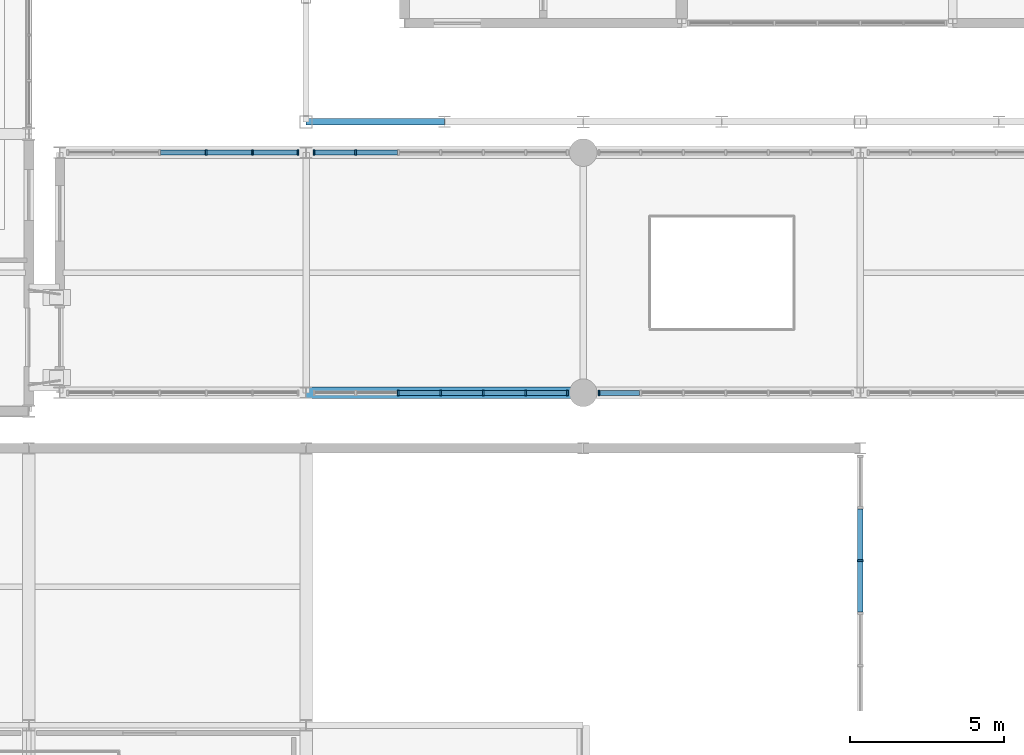
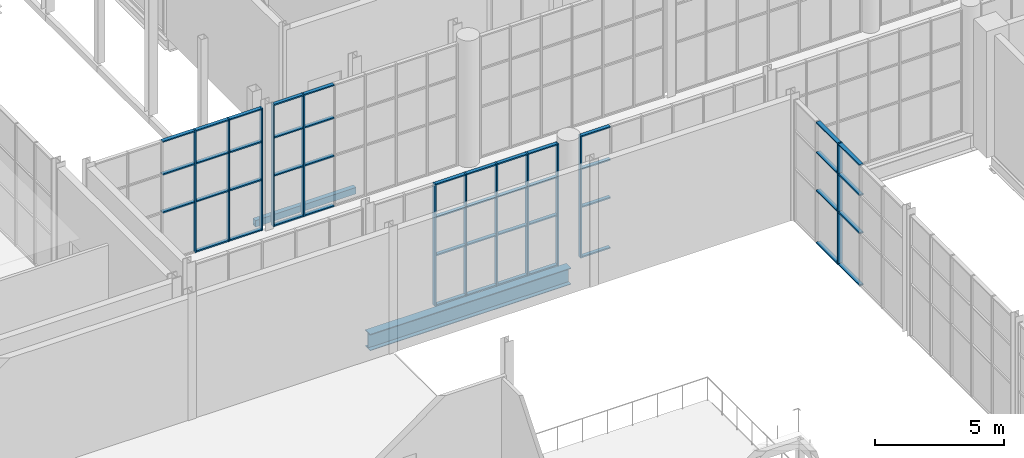
# One storey, part 34 of 159: 59 members, 2 beams, 5 elements without a shape of their own.
"""IFC4 building model written with IfcOpenShell, lengths in metres."""

import ifcopenshell
import ifcopenshell.guid

model = None  # the IFC model being written
_history = None  # IfcOwnerHistory: only IFC2X3 demands one
_inside = {}  # id of a spatial element -> (the spatial element, [elements in it])
_under = {}  # id of a project, library or spatial element -> (it, [spatial elements below it])
_declared = {}  # id of a project -> (the project, [libraries it declares])
_typed = {}  # id of a type object -> (the type object, [elements of that type])
_made_of = {}  # id of a material, layer set ... -> (it, [elements and type objects made of it])


def new_model(schema):
    """Start an empty IFC model of exactly this schema.

    Asked for "IFC4X3", IfcOpenShell would pick the latest addendum, in which some entities
    have other attributes; the version numbers below select the first issue.
    IFC2X3 requires an IfcOwnerHistory on every rooted entity: one is made here for all.
    """
    global model, _history
    if schema == "IFC4X3":
        model = ifcopenshell.file(schema_version=(4, 3, 0, 0))
    else:
        model = ifcopenshell.file(schema=schema)
    _inside.clear()
    _under.clear()
    _declared.clear()
    _typed.clear()
    _made_of.clear()
    _history = None
    if model.schema == "IFC2X3":
        org = make("IfcOrganization", Name="unknown")
        user = make(
            "IfcPersonAndOrganization",
            ThePerson=make("IfcPerson", FamilyName="unknown"),
            TheOrganization=org,
        )
        app = make(
            "IfcApplication",
            ApplicationDeveloper=org,
            Version="unknown",
            ApplicationFullName="unknown",
            ApplicationIdentifier="unknown",
        )
        _history = make(
            "IfcOwnerHistory",
            OwningUser=user,
            OwningApplication=app,
            ChangeAction="ADDED",
            CreationDate=0,
        )
    return model


def make(cls, **values):
    """One entity of the class cls with the attributes given. An attribute that is None is left unset."""
    return model.create_entity(
        cls, **{name: value for name, value in values.items() if value is not None}
    )


def rooted(cls, **values):
    """An entity with a GlobalId (a new one), such as an element, a storey or a relation."""
    return make(cls, GlobalId=ifcopenshell.guid.new(), OwnerHistory=_history, **values)


def si_unit(unit_type, name, prefix=None):
    """IfcSIUnit, for example si_unit("LENGTHUNIT", "METRE", prefix="MILLI")."""
    return make("IfcSIUnit", UnitType=unit_type, Prefix=prefix, Name=name)


def assignment(units):
    """IfcUnitAssignment: the units of a project."""
    return None if units is None else make("IfcUnitAssignment", Units=units)


def point(xyz):
    """IfcCartesianPoint."""
    return None if xyz is None else make("IfcCartesianPoint", Coordinates=xyz)


def direction(xyz):
    """IfcDirection."""
    return None if xyz is None else make("IfcDirection", DirectionRatios=xyz)


def frame(location, z_axis=None, x_axis=None):
    """IfcAxis2Placement3D, a coordinate frame: its origin and axes. An axis left out is left unset."""
    return make(
        "IfcAxis2Placement3D",
        Location=point(location),
        Axis=direction(z_axis),
        RefDirection=direction(x_axis),
    )


def frame_2d(location, x_axis=None):
    """IfcAxis2Placement2D, a coordinate frame in the plane: its origin and x axis."""
    return make(
        "IfcAxis2Placement2D", Location=point(location), RefDirection=direction(x_axis)
    )


def origin():
    """The frame at (0, 0, 0) with its axes left unset."""
    return frame((0.0, 0.0, 0.0))


def origin_2d():
    """The frame at (0, 0) in the plane with its x axis left unset."""
    return frame_2d((0.0, 0.0))


def place(relative_to, where):
    """IfcLocalPlacement: puts the frame where relative to a parent placement (None: the world)."""
    return make(
        "IfcLocalPlacement", PlacementRelTo=relative_to, RelativePlacement=where
    )


def context(
    kind, dimensions, precision=None, world=None, true_north=None, identifier=None
):
    """IfcGeometricRepresentationContext, for example the 3D "Model" context."""
    return make(
        "IfcGeometricRepresentationContext",
        ContextIdentifier=identifier,
        ContextType=kind,
        CoordinateSpaceDimension=dimensions,
        Precision=precision,
        WorldCoordinateSystem=world,
        TrueNorth=true_north,
    )


def subcontext(parent, identifier, kind, view, scale=None):
    """IfcGeometricRepresentationSubContext, for example "Body" below "Model"."""
    return make(
        "IfcGeometricRepresentationSubContext",
        ContextIdentifier=identifier,
        ContextType=kind,
        ParentContext=parent,
        TargetScale=scale,
        TargetView=view,
    )


def project(units=None, contexts=None):
    """IfcProject with its units and contexts."""
    return rooted(
        "IfcProject",
        Name="project",
        RepresentationContexts=contexts,
        UnitsInContext=assignment(units),
    )


def spatial(cls, under=None, at=None, **own):
    """A site, building, storey or space (cls), placed at a placement, below another one or the project."""
    s = rooted(cls, ObjectPlacement=at, **own)
    if under is not None:
        _under.setdefault(under.id(), (under, []))[1].append(s)
    return s


def profile(cls, at=None, kind="AREA", **sizes):
    """A parametric profile (cls). Its sizes go by their IFC names, for example OverallWidth=200.0."""
    return make(cls, ProfileType=kind, Position=at, **sizes)


def rectangle(**sizes):
    """IfcRectangleProfileDef."""
    return profile("IfcRectangleProfileDef", **sizes)


def hollow_rectangle(**sizes):
    """IfcRectangleHollowProfileDef."""
    return profile("IfcRectangleHollowProfileDef", **sizes)


def i_section(**sizes):
    """IfcIShapeProfileDef."""
    return profile("IfcIShapeProfileDef", **sizes)


def extrude(swept, where, along, depth):
    """IfcExtrudedAreaSolid: the profile swept, set in the frame where, extruded along a direction by depth."""
    return make(
        "IfcExtrudedAreaSolid",
        SweptArea=swept,
        Position=where,
        ExtrudedDirection=direction(along),
        Depth=depth,
    )


def shape(context_of_items, identifier, shape_type, items):
    """IfcShapeRepresentation: the items that make up one representation, for example the "Body"."""
    return make(
        "IfcShapeRepresentation",
        ContextOfItems=context_of_items,
        RepresentationIdentifier=identifier,
        RepresentationType=shape_type,
        Items=items,
    )


def material(Name=None, Category=None):
    """IfcMaterial."""
    return make("IfcMaterial", Name=Name, Category=Category)


def layer(
    of_material, thickness, ventilated=None, Name=None, Category=None, Priority=None
):
    """IfcMaterialLayer: one layer of a wall or slab, of a material (None: an air gap)."""
    return make(
        "IfcMaterialLayer",
        Material=of_material,
        LayerThickness=thickness,
        IsVentilated=ventilated,
        Name=Name,
        Category=Category,
        Priority=Priority,
    )


def layer_set(layers, Name=None):
    """IfcMaterialLayerSet."""
    return make("IfcMaterialLayerSet", MaterialLayers=layers, LayerSetName=Name)


def material_profile(
    of_material, cross_section, Name=None, Category=None, Priority=None
):
    """IfcMaterialProfile: a cross section and its material."""
    return make(
        "IfcMaterialProfile",
        Name=Name,
        Material=of_material,
        Profile=cross_section,
        Priority=Priority,
        Category=Category,
    )


def profile_set(profiles, Name=None, composite=None):
    """IfcMaterialProfileSet."""
    return make(
        "IfcMaterialProfileSet",
        Name=Name,
        MaterialProfiles=profiles,
        CompositeProfile=composite,
    )


def made_of(thing, what):
    """Note that an element or type object is made of a material, layer set ...; save() writes the relation."""
    if what is not None:
        _made_of.setdefault(what.id(), (what, []))[1].append(thing)
    return thing


def type_object(cls, material=None, **own):
    """A type object (cls), such as IfcWallType, which elements share."""
    return made_of(rooted(cls, **own), material)


def element(
    cls,
    number,
    at=None,
    inside=None,
    cuts=None,
    type_object=None,
    material=None,
    context=None,
    identifier="Body",
    shape_type=None,
    held_by="IfcProductDefinitionShape",
    body=None,
    shapes=None,
    **own,
):
    """One element of the class cls, such as IfcWall. Its Tag is "e" and its number.

    at: its placement. inside: the storey or other place that contains it. cuts: it is an
    opening in that element (IfcRelVoidsElement). A single representation is given by context,
    identifier, shape_type and body (its items); several are given by shapes. held_by: the class
    of the entity that holds the representations. save() writes the other relations.
    """
    e = rooted(cls, Tag="e%d" % number, ObjectPlacement=at, **own)
    if body is not None:
        shapes = [shape(context, identifier, shape_type, body)]
    if shapes is not None:
        e.Representation = make(held_by, Representations=shapes)
    if inside is not None:
        _inside.setdefault(inside.id(), (inside, []))[1].append(e)
    if cuts is not None:
        rooted(
            "IfcRelVoidsElement", RelatingBuildingElement=cuts, RelatedOpeningElement=e
        )
    if type_object is not None:
        _typed.setdefault(type_object.id(), (type_object, []))[1].append(e)
    return made_of(e, material)


def aggregate(whole, parts):
    """IfcRelAggregates: a whole, such as a stair, and the parts it consists of."""
    return rooted("IfcRelAggregates", RelatingObject=whole, RelatedObjects=parts)


def save(model, path):
    """Write the relations noted so far, then the file.

    IfcRelAggregates (storeys below a building ...), IfcRelContainedInSpatialStructure (elements
    in a storey), IfcRelDefinesByType, IfcRelAssociatesMaterial and IfcRelDeclares: one each for
    every whole, place, type object, material and project.
    """
    for whole, parts in _under.values():
        aggregate(whole, parts)
    for where, things in _inside.values():
        rooted(
            "IfcRelContainedInSpatialStructure",
            RelatedElements=things,
            RelatingStructure=where,
        )
    for kind, things in _typed.values():
        rooted("IfcRelDefinesByType", RelatedObjects=things, RelatingType=kind)
    for what, things in _made_of.values():
        rooted("IfcRelAssociatesMaterial", RelatedObjects=things, RelatingMaterial=what)
    for by, libraries in _declared.values():
        rooted("IfcRelDeclares", RelatingContext=by, RelatedDefinitions=libraries)
    model.write(path)


model = new_model("IFC4")

# Units and contexts
model_context = context("Model", 3, precision=1e-05, world=origin(), true_north=direction((0.0, 1.0)))
body_context = subcontext(model_context, "Body", "Model", "MODEL_VIEW")
ifc_project = project(units=[si_unit("LENGTHUNIT", "METRE"), si_unit("AREAUNIT", "SQUARE_METRE"), si_unit("VOLUMEUNIT", "CUBIC_METRE"), si_unit("PLANEANGLEUNIT", "RADIAN"), si_unit("MASSUNIT", "GRAM", prefix="KILO")], contexts=[model_context])

# Site, building, storey
site_placement = place(None, origin())
site = spatial("IfcSite", under=ifc_project, at=site_placement, CompositionType="ELEMENT")
building_placement = place(site_placement, origin())
building = spatial("IfcBuilding", under=site, at=building_placement, Name="Cazmaro Siding Exhibition Halls", CompositionType="ELEMENT")
storey_placement = place(building_placement, frame((0.0, 0.0, 6.0)))
storey = spatial("IfcBuildingStorey", under=building, at=storey_placement, Name="L01", CompositionType="ELEMENT", Elevation=6.0)

# Curtain wall, members
ifc_material_1 = material(Name="Anodized Bronze Aluminum and Solar-Control Low-E Glazing", Category="aluminium")
ifc_layer_1 = layer(ifc_material_1, 0.179931640625)
ifc_layer_set_1 = layer_set([ifc_layer_1], Name="Anodized Bronze Aluminum and Solar-Control Low-E Glazing")
curtain_wall_type_1 = type_object("IfcCurtainWallType", Name="CWS-01", PredefinedType="USERDEFINED", material=ifc_layer_set_1)
curtain_wall_1_placement = place(storey_placement, origin())
curtain_wall_1 = element("IfcCurtainWall", 1, at=curtain_wall_1_placement, inside=storey, type_object=curtain_wall_type_1, Name="Glazed Curtain Wall CWS-01 CW-143", ObjectType="GLAZED CURTAIN WALL", PredefinedType="USERDEFINED")
ifc_material_2 = material(Name="Anodized Bronze Extruded Aluminum", Category="aluminium")
ifc_material_profile_1 = material_profile(ifc_material_2, rectangle(XDim=0.179931640625, YDim=0.06005859375, at=origin_2d()), Name="CWM-01")
ifc_profile_set_1 = profile_set([ifc_material_profile_1], Name="Anodized Bronze Extruded Aluminum")
member_type_1 = type_object("IfcMemberType", Name="CWM-01", PredefinedType="MULLION", material=ifc_profile_set_1)
member_1_placement = place(storey_placement, frame((44.739990234375, 63.0, 0.0), z_axis=(0.0, 0.0, 1.0), x_axis=(0.0, -1.0, 0.0)))
member_1 = element("IfcMember", 2, at=member_1_placement, type_object=member_type_1, Name="CWS-01 mullion 1", PredefinedType="MULLION", context=body_context, shape_type="SweptSolid", body=[
    extrude(rectangle(XDim=0.179931640625, YDim=0.06005859375, at=origin_2d()), origin(), (0.0, 0.0, 1.0), 5.780029296875),
])
member_2_placement = place(storey_placement, frame((43.261962890625, 63.0, 0.0), z_axis=(0.0, 0.0, 1.0), x_axis=(0.0, -1.0, 0.0)))
member_2 = element("IfcMember", 3, at=member_2_placement, type_object=member_type_1, Name="CWS-01 mullion 2", PredefinedType="MULLION", context=body_context, shape_type="SweptSolid", body=[
    extrude(rectangle(XDim=0.179931640625, YDim=0.06005859375, at=origin_2d()), origin(), (0.0, 0.0, 1.0), 5.780029296875),
])
member_3_placement = place(storey_placement, frame((41.75390625, 63.0, 0.0), z_axis=(0.0, 0.0, 1.0), x_axis=(0.0, -1.0, 0.0)))
member_3 = element("IfcMember", 4, at=member_3_placement, type_object=member_type_1, Name="CWS-01 mullion 3", PredefinedType="MULLION", context=body_context, shape_type="SweptSolid", body=[
    extrude(rectangle(XDim=0.179931640625, YDim=0.06005859375, at=origin_2d()), origin(), (0.0, 0.0, 1.0), 5.780029296875),
])

curtain_wall_2_placement = place(storey_placement, origin())
curtain_wall_2 = element("IfcCurtainWall", 5, at=curtain_wall_2_placement, inside=storey, type_object=curtain_wall_type_1, Name="Glazed Curtain Wall CWS-01 CW-146", ObjectType="GLAZED CURTAIN WALL", PredefinedType="USERDEFINED")
member_4_placement = place(storey_placement, frame((47.992431640625, 55.199951171875, 0.0), z_axis=(0.0, 0.0, 1.0), x_axis=(0.0, 1.0, 0.0)))
member_4 = element("IfcMember", 6, at=member_4_placement, type_object=member_type_1, Name="CWS-01 mullion 3", PredefinedType="MULLION", context=body_context, shape_type="SweptSolid", body=[
    extrude(rectangle(XDim=0.179931640625, YDim=0.06005859375, at=origin_2d()), origin(), (0.0, 0.0, 1.0), 5.780029296875),
])
member_5_placement = place(storey_placement, frame((49.37353515625, 55.199951171875, 0.0), z_axis=(0.0, 0.0, 1.0), x_axis=(0.0, 1.0, 0.0)))
member_5 = element("IfcMember", 7, at=member_5_placement, type_object=member_type_1, Name="CWS-01 mullion 4", PredefinedType="MULLION", context=body_context, shape_type="SweptSolid", body=[
    extrude(rectangle(XDim=0.179931640625, YDim=0.06005859375, at=origin_2d()), origin(), (0.0, 0.0, 1.0), 5.780029296875),
])
member_6_placement = place(storey_placement, frame((50.754638671875, 55.199951171875, 0.0), z_axis=(0.0, 0.0, 1.0), x_axis=(0.0, 1.0, 0.0)))
member_6 = element("IfcMember", 8, at=member_6_placement, type_object=member_type_1, Name="CWS-01 mullion 5", PredefinedType="MULLION", context=body_context, shape_type="SweptSolid", body=[
    extrude(rectangle(XDim=0.179931640625, YDim=0.06005859375, at=origin_2d()), origin(), (0.0, 0.0, 1.0), 5.780029296875),
])
member_7_placement = place(storey_placement, frame((52.1357421875, 55.199951171875, 0.0), z_axis=(0.0, 0.0, 1.0), x_axis=(0.0, 1.0, 0.0)))
member_7 = element("IfcMember", 9, at=member_7_placement, type_object=member_type_1, Name="CWS-01 mullion 6", PredefinedType="MULLION", context=body_context, shape_type="SweptSolid", body=[
    extrude(rectangle(XDim=0.179931640625, YDim=0.06005859375, at=origin_2d()), origin(), (0.0, 0.0, 1.0), 5.780029296875),
])
member_8_placement = place(storey_placement, frame((53.487060546875, 55.199951171875, 0.0), z_axis=(0.0, 0.0, 1.0), x_axis=(0.0, 1.0, 0.0)))
member_8 = element("IfcMember", 10, at=member_8_placement, type_object=member_type_1, Name="CWS-01 mullion 7", PredefinedType="MULLION", context=body_context, shape_type="SweptSolid", body=[
    extrude(rectangle(XDim=0.179931640625, YDim=0.06005859375, at=origin_2d()), origin(), (0.0, 0.0, 1.0), 5.780029296875),
])

curtain_wall_3_placement = place(storey_placement, origin())
curtain_wall_3 = element("IfcCurtainWall", 11, at=curtain_wall_3_placement, inside=storey, type_object=curtain_wall_type_1, Name="Glazed Curtain Wall CWS-01 CW-148", ObjectType="GLAZED CURTAIN WALL", PredefinedType="USERDEFINED")
member_9_placement = place(storey_placement, frame((46.611083984375, 63.0, 0.0), z_axis=(0.0, 0.0, 1.0), x_axis=(0.0, -1.0, 0.0)))
member_9 = element("IfcMember", 12, at=member_9_placement, type_object=member_type_1, Name="CWS-01 mullion 6", PredefinedType="MULLION", context=body_context, shape_type="SweptSolid", body=[
    extrude(rectangle(XDim=0.179931640625, YDim=0.06005859375, at=origin_2d()), origin(), (0.0, 0.0, 1.0), 5.780029296875),
])
member_10_placement = place(storey_placement, frame((45.260009765625, 63.0, 0.0), z_axis=(0.0, 0.0, 1.0), x_axis=(0.0, -1.0, 0.0)))
member_10 = element("IfcMember", 13, at=member_10_placement, type_object=member_type_1, Name="CWS-01 mullion 7", PredefinedType="MULLION", context=body_context, shape_type="SweptSolid", body=[
    extrude(rectangle(XDim=0.179931640625, YDim=0.06005859375, at=origin_2d()), origin(), (0.0, 0.0, 1.0), 5.780029296875),
])

# Curtain wall, member
curtain_wall_4_placement = place(storey_placement, origin())
curtain_wall_4 = element("IfcCurtainWall", 14, at=curtain_wall_4_placement, inside=storey, type_object=curtain_wall_type_1, Name="Glazed Curtain Wall CWS-01 CW-151", ObjectType="GLAZED CURTAIN WALL", PredefinedType="USERDEFINED")
member_11_placement = place(storey_placement, frame((54.512939453125, 55.199951171875, 0.0), z_axis=(0.0, 0.0, 1.0), x_axis=(0.0, 1.0, 0.0)))
member_11 = element("IfcMember", 15, at=member_11_placement, type_object=member_type_1, Name="CWS-01 mullion 1", PredefinedType="MULLION", context=body_context, shape_type="SweptSolid", body=[
    extrude(rectangle(XDim=0.179931640625, YDim=0.06005859375, at=origin_2d()), origin(), (0.0, 0.0, 1.0), 5.780029296875),
])

ifc_material_3 = material(Name="Anodized Bronze Aluminum and Solar-Control Low-E Glazing", Category="aluminium")
ifc_layer_2 = layer(ifc_material_3, 0.199951171875)
ifc_layer_set_2 = layer_set([ifc_layer_2], Name="Anodized Bronze Aluminum and Solar-Control Low-E Glazing")
curtain_wall_type_2 = type_object("IfcCurtainWallType", Name="CWS-02", PredefinedType="USERDEFINED", material=ifc_layer_set_2)
curtain_wall_5_placement = place(storey_placement, origin())
curtain_wall_5 = element("IfcCurtainWall", 16, at=curtain_wall_5_placement, inside=storey, type_object=curtain_wall_type_2, Name="Glazed Curtain Wall CWS-02 CW-221", ObjectType="GLAZED CURTAIN WALL", PredefinedType="USERDEFINED")
ifc_material_4 = material(Name="Anodized Bronze Extruded Aluminum", Category="aluminium")
ifc_material_profile_2 = material_profile(ifc_material_4, rectangle(XDim=0.199951171875, YDim=0.06494140625, at=origin_2d()), Name="CWM-02")
ifc_profile_set_2 = profile_set([ifc_material_profile_2], Name="Anodized Bronze Extruded Aluminum")
member_type_2 = type_object("IfcMemberType", Name="CWM-02", PredefinedType="MULLION", material=ifc_profile_set_2)
member_12_placement = place(storey_placement, frame((63.0, 49.75390625, 0.0), z_axis=(0.0, 0.0, 1.0), x_axis=(-1.0, 0.0, 0.0)))
member_12 = element("IfcMember", 17, at=member_12_placement, type_object=member_type_2, Name="CWS-02 mullion 4", PredefinedType="MULLION", context=body_context, shape_type="SweptSolid", body=[
    extrude(rectangle(XDim=0.199951171875, YDim=0.06494140625, at=origin_2d()), origin(), (0.0, 0.0, 1.0), 5.75),
])

# Member
ifc_material_5 = material(Name="Anodized Bronze Extruded Aluminum", Category="aluminium")
ifc_material_profile_3 = material_profile(ifc_material_5, rectangle(XDim=0.159912109375, YDim=0.06005859375, at=origin_2d()), Name="CWT-01")
ifc_profile_set_3 = profile_set([ifc_material_profile_3], Name="Anodized Bronze Extruded Aluminum")
member_type_3 = type_object("IfcMemberType", Name="CWT-01", PredefinedType="MULLION", material=ifc_profile_set_3)
member_13_placement = place(storey_placement, frame((44.7099609375, 63.0, 0.030029296875), z_axis=(-1.0, 0.0, 0.0), x_axis=(0.0, -1.0, 0.0)))
member_13 = element("IfcMember", 18, at=member_13_placement, type_object=member_type_3, Name="CWS-01 transom 1.1", ObjectType="TRANSOM", PredefinedType="USERDEFINED", context=body_context, shape_type="SweptSolid", body=[
    extrude(rectangle(XDim=0.159912109375, YDim=0.06005859375, at=origin_2d()), origin(), (0.0, 0.0, 1.0), 1.41796875),
])

member_14_placement = place(storey_placement, frame((44.7099609375, 63.0, 2.39990234375), z_axis=(-1.0, 0.0, 0.0), x_axis=(0.0, -1.0, 0.0)))
member_14 = element("IfcMember", 19, at=member_14_placement, type_object=member_type_3, Name="CWS-01 transom 1.2", ObjectType="TRANSOM", PredefinedType="USERDEFINED", context=body_context, shape_type="SweptSolid", body=[
    extrude(rectangle(XDim=0.159912109375, YDim=0.06005859375, at=origin_2d()), origin(), (0.0, 0.0, 1.0), 1.41796875),
])

member_15_placement = place(storey_placement, frame((44.7099609375, 63.0, 4.199951171875), z_axis=(-1.0, 0.0, 0.0), x_axis=(0.0, -1.0, 0.0)))
member_15 = element("IfcMember", 20, at=member_15_placement, type_object=member_type_3, Name="CWS-01 transom 1.3", ObjectType="TRANSOM", PredefinedType="USERDEFINED", context=body_context, shape_type="SweptSolid", body=[
    extrude(rectangle(XDim=0.159912109375, YDim=0.06005859375, at=origin_2d()), origin(), (0.0, 0.0, 1.0), 1.41796875),
])

member_16_placement = place(storey_placement, frame((44.7099609375, 63.0, 5.75), z_axis=(-1.0, 0.0, 0.0), x_axis=(0.0, -1.0, 0.0)))
member_16 = element("IfcMember", 21, at=member_16_placement, type_object=member_type_3, Name="CWS-01 transom 1.4", ObjectType="TRANSOM", PredefinedType="USERDEFINED", context=body_context, shape_type="SweptSolid", body=[
    extrude(rectangle(XDim=0.159912109375, YDim=0.06005859375, at=origin_2d()), origin(), (0.0, 0.0, 1.0), 1.41796875),
])

member_17_placement = place(storey_placement, frame((43.23193359375, 63.0, 0.030029296875), z_axis=(-1.0, 0.0, 0.0), x_axis=(0.0, -1.0, 0.0)))
member_17 = element("IfcMember", 22, at=member_17_placement, type_object=member_type_3, Name="CWS-01 transom 2.1", ObjectType="TRANSOM", PredefinedType="USERDEFINED", context=body_context, shape_type="SweptSolid", body=[
    extrude(rectangle(XDim=0.159912109375, YDim=0.06005859375, at=origin_2d()), origin(), (0.0, 0.0, 1.0), 1.447998046875),
])

member_18_placement = place(storey_placement, frame((43.23193359375, 63.0, 2.39990234375), z_axis=(-1.0, 0.0, 0.0), x_axis=(0.0, -1.0, 0.0)))
member_18 = element("IfcMember", 23, at=member_18_placement, type_object=member_type_3, Name="CWS-01 transom 2.2", ObjectType="TRANSOM", PredefinedType="USERDEFINED", context=body_context, shape_type="SweptSolid", body=[
    extrude(rectangle(XDim=0.159912109375, YDim=0.06005859375, at=origin_2d()), origin(), (0.0, 0.0, 1.0), 1.447998046875),
])

member_19_placement = place(storey_placement, frame((43.23193359375, 63.0, 4.199951171875), z_axis=(-1.0, 0.0, 0.0), x_axis=(0.0, -1.0, 0.0)))
member_19 = element("IfcMember", 24, at=member_19_placement, type_object=member_type_3, Name="CWS-01 transom 2.3", ObjectType="TRANSOM", PredefinedType="USERDEFINED", context=body_context, shape_type="SweptSolid", body=[
    extrude(rectangle(XDim=0.159912109375, YDim=0.06005859375, at=origin_2d()), origin(), (0.0, 0.0, 1.0), 1.447998046875),
])

member_20_placement = place(storey_placement, frame((43.23193359375, 63.0, 5.75), z_axis=(-1.0, 0.0, 0.0), x_axis=(0.0, -1.0, 0.0)))
member_20 = element("IfcMember", 25, at=member_20_placement, type_object=member_type_3, Name="CWS-01 transom 2.4", ObjectType="TRANSOM", PredefinedType="USERDEFINED", context=body_context, shape_type="SweptSolid", body=[
    extrude(rectangle(XDim=0.159912109375, YDim=0.06005859375, at=origin_2d()), origin(), (0.0, 0.0, 1.0), 1.447998046875),
])

member_21_placement = place(storey_placement, frame((41.72412109375, 63.0, 2.39990234375), z_axis=(-1.0, 0.0, 0.0), x_axis=(0.0, -1.0, 0.0)))
member_21 = element("IfcMember", 26, at=member_21_placement, type_object=member_type_3, Name="CWS-01 transom 3.2", ObjectType="TRANSOM", PredefinedType="USERDEFINED", context=body_context, shape_type="SweptSolid", body=[
    extrude(rectangle(XDim=0.159912109375, YDim=0.06005859375, at=origin_2d()), origin(), (0.0, 0.0, 1.0), 1.4482421875),
])

member_22_placement = place(storey_placement, frame((41.72412109375, 63.0, 4.199951171875), z_axis=(-1.0, 0.0, 0.0), x_axis=(0.0, -1.0, 0.0)))
member_22 = element("IfcMember", 27, at=member_22_placement, type_object=member_type_3, Name="CWS-01 transom 3.3", ObjectType="TRANSOM", PredefinedType="USERDEFINED", context=body_context, shape_type="SweptSolid", body=[
    extrude(rectangle(XDim=0.159912109375, YDim=0.06005859375, at=origin_2d()), origin(), (0.0, 0.0, 1.0), 1.4482421875),
])

member_23_placement = place(storey_placement, frame((41.72412109375, 63.0, 5.75), z_axis=(-1.0, 0.0, 0.0), x_axis=(0.0, -1.0, 0.0)))
member_23 = element("IfcMember", 28, at=member_23_placement, type_object=member_type_3, Name="CWS-01 transom 3.4", ObjectType="TRANSOM", PredefinedType="USERDEFINED", context=body_context, shape_type="SweptSolid", body=[
    extrude(rectangle(XDim=0.159912109375, YDim=0.06005859375, at=origin_2d()), origin(), (0.0, 0.0, 1.0), 1.4482421875),
])

aggregate(curtain_wall_1, [member_1, member_2, member_3, member_13, member_14, member_15, member_16, member_17, member_18, member_19, member_20, member_21, member_22, member_23])

member_24_placement = place(storey_placement, frame((48.022216796875, 55.199951171875, 0.030029296875), z_axis=(1.0, 0.0, 0.0), x_axis=(0.0, 1.0, 0.0)))
member_24 = element("IfcMember", 29, at=member_24_placement, type_object=member_type_3, Name="CWS-01 transom 3.1", ObjectType="TRANSOM", PredefinedType="USERDEFINED", context=body_context, shape_type="SweptSolid", body=[
    extrude(rectangle(XDim=0.159912109375, YDim=0.06005859375, at=origin_2d()), origin(), (0.0, 0.0, 1.0), 1.3212890625),
])

member_25_placement = place(storey_placement, frame((48.022216796875, 55.199951171875, 2.39990234375), z_axis=(1.0, 0.0, 0.0), x_axis=(0.0, 1.0, 0.0)))
member_25 = element("IfcMember", 30, at=member_25_placement, type_object=member_type_3, Name="CWS-01 transom 3.2", ObjectType="TRANSOM", PredefinedType="USERDEFINED", context=body_context, shape_type="SweptSolid", body=[
    extrude(rectangle(XDim=0.159912109375, YDim=0.06005859375, at=origin_2d()), origin(), (0.0, 0.0, 1.0), 1.3212890625),
])

member_26_placement = place(storey_placement, frame((48.022216796875, 55.199951171875, 4.199951171875), z_axis=(1.0, 0.0, 0.0), x_axis=(0.0, 1.0, 0.0)))
member_26 = element("IfcMember", 31, at=member_26_placement, type_object=member_type_3, Name="CWS-01 transom 3.3", ObjectType="TRANSOM", PredefinedType="USERDEFINED", context=body_context, shape_type="SweptSolid", body=[
    extrude(rectangle(XDim=0.159912109375, YDim=0.06005859375, at=origin_2d()), origin(), (0.0, 0.0, 1.0), 1.3212890625),
])

member_27_placement = place(storey_placement, frame((48.022216796875, 55.199951171875, 5.75), z_axis=(1.0, 0.0, 0.0), x_axis=(0.0, 1.0, 0.0)))
member_27 = element("IfcMember", 32, at=member_27_placement, type_object=member_type_3, Name="CWS-01 transom 3.4", ObjectType="TRANSOM", PredefinedType="USERDEFINED", context=body_context, shape_type="SweptSolid", body=[
    extrude(rectangle(XDim=0.159912109375, YDim=0.06005859375, at=origin_2d()), origin(), (0.0, 0.0, 1.0), 1.3212890625),
])

member_28_placement = place(storey_placement, frame((49.403564453125, 55.199951171875, 0.030029296875), z_axis=(1.0, 0.0, 0.0), x_axis=(0.0, 1.0, 0.0)))
member_28 = element("IfcMember", 33, at=member_28_placement, type_object=member_type_3, Name="CWS-01 transom 4.1", ObjectType="TRANSOM", PredefinedType="USERDEFINED", context=body_context, shape_type="SweptSolid", body=[
    extrude(rectangle(XDim=0.159912109375, YDim=0.06005859375, at=origin_2d()), origin(), (0.0, 0.0, 1.0), 1.321044921875),
])

member_29_placement = place(storey_placement, frame((49.403564453125, 55.199951171875, 2.39990234375), z_axis=(1.0, 0.0, 0.0), x_axis=(0.0, 1.0, 0.0)))
member_29 = element("IfcMember", 34, at=member_29_placement, type_object=member_type_3, Name="CWS-01 transom 4.2", ObjectType="TRANSOM", PredefinedType="USERDEFINED", context=body_context, shape_type="SweptSolid", body=[
    extrude(rectangle(XDim=0.159912109375, YDim=0.06005859375, at=origin_2d()), origin(), (0.0, 0.0, 1.0), 1.321044921875),
])

member_30_placement = place(storey_placement, frame((49.403564453125, 55.199951171875, 4.199951171875), z_axis=(1.0, 0.0, 0.0), x_axis=(0.0, 1.0, 0.0)))
member_30 = element("IfcMember", 35, at=member_30_placement, type_object=member_type_3, Name="CWS-01 transom 4.3", ObjectType="TRANSOM", PredefinedType="USERDEFINED", context=body_context, shape_type="SweptSolid", body=[
    extrude(rectangle(XDim=0.159912109375, YDim=0.06005859375, at=origin_2d()), origin(), (0.0, 0.0, 1.0), 1.321044921875),
])

member_31_placement = place(storey_placement, frame((49.403564453125, 55.199951171875, 5.75), z_axis=(1.0, 0.0, 0.0), x_axis=(0.0, 1.0, 0.0)))
member_31 = element("IfcMember", 36, at=member_31_placement, type_object=member_type_3, Name="CWS-01 transom 4.4", ObjectType="TRANSOM", PredefinedType="USERDEFINED", context=body_context, shape_type="SweptSolid", body=[
    extrude(rectangle(XDim=0.159912109375, YDim=0.06005859375, at=origin_2d()), origin(), (0.0, 0.0, 1.0), 1.321044921875),
])

member_32_placement = place(storey_placement, frame((50.78466796875, 55.199951171875, 0.030029296875), z_axis=(1.0, 0.0, 0.0), x_axis=(0.0, 1.0, 0.0)))
member_32 = element("IfcMember", 37, at=member_32_placement, type_object=member_type_3, Name="CWS-01 transom 5.1", ObjectType="TRANSOM", PredefinedType="USERDEFINED", context=body_context, shape_type="SweptSolid", body=[
    extrude(rectangle(XDim=0.159912109375, YDim=0.06005859375, at=origin_2d()), origin(), (0.0, 0.0, 1.0), 1.321044921875),
])

member_33_placement = place(storey_placement, frame((50.78466796875, 55.199951171875, 2.39990234375), z_axis=(1.0, 0.0, 0.0), x_axis=(0.0, 1.0, 0.0)))
member_33 = element("IfcMember", 38, at=member_33_placement, type_object=member_type_3, Name="CWS-01 transom 5.2", ObjectType="TRANSOM", PredefinedType="USERDEFINED", context=body_context, shape_type="SweptSolid", body=[
    extrude(rectangle(XDim=0.159912109375, YDim=0.06005859375, at=origin_2d()), origin(), (0.0, 0.0, 1.0), 1.321044921875),
])

member_34_placement = place(storey_placement, frame((50.78466796875, 55.199951171875, 4.199951171875), z_axis=(1.0, 0.0, 0.0), x_axis=(0.0, 1.0, 0.0)))
member_34 = element("IfcMember", 39, at=member_34_placement, type_object=member_type_3, Name="CWS-01 transom 5.3", ObjectType="TRANSOM", PredefinedType="USERDEFINED", context=body_context, shape_type="SweptSolid", body=[
    extrude(rectangle(XDim=0.159912109375, YDim=0.06005859375, at=origin_2d()), origin(), (0.0, 0.0, 1.0), 1.321044921875),
])

member_35_placement = place(storey_placement, frame((50.78466796875, 55.199951171875, 5.75), z_axis=(1.0, 0.0, 0.0), x_axis=(0.0, 1.0, 0.0)))
member_35 = element("IfcMember", 40, at=member_35_placement, type_object=member_type_3, Name="CWS-01 transom 5.4", ObjectType="TRANSOM", PredefinedType="USERDEFINED", context=body_context, shape_type="SweptSolid", body=[
    extrude(rectangle(XDim=0.159912109375, YDim=0.06005859375, at=origin_2d()), origin(), (0.0, 0.0, 1.0), 1.321044921875),
])

member_36_placement = place(storey_placement, frame((52.165771484375, 55.199951171875, 0.030029296875), z_axis=(1.0, 0.0, 0.0), x_axis=(0.0, 1.0, 0.0)))
member_36 = element("IfcMember", 41, at=member_36_placement, type_object=member_type_3, Name="CWS-01 transom 6.1", ObjectType="TRANSOM", PredefinedType="USERDEFINED", context=body_context, shape_type="SweptSolid", body=[
    extrude(rectangle(XDim=0.159912109375, YDim=0.06005859375, at=origin_2d()), origin(), (0.0, 0.0, 1.0), 1.291259765625),
])

member_37_placement = place(storey_placement, frame((52.165771484375, 55.199951171875, 2.39990234375), z_axis=(1.0, 0.0, 0.0), x_axis=(0.0, 1.0, 0.0)))
member_37 = element("IfcMember", 42, at=member_37_placement, type_object=member_type_3, Name="CWS-01 transom 6.2", ObjectType="TRANSOM", PredefinedType="USERDEFINED", context=body_context, shape_type="SweptSolid", body=[
    extrude(rectangle(XDim=0.159912109375, YDim=0.06005859375, at=origin_2d()), origin(), (0.0, 0.0, 1.0), 1.291259765625),
])

member_38_placement = place(storey_placement, frame((52.165771484375, 55.199951171875, 4.199951171875), z_axis=(1.0, 0.0, 0.0), x_axis=(0.0, 1.0, 0.0)))
member_38 = element("IfcMember", 43, at=member_38_placement, type_object=member_type_3, Name="CWS-01 transom 6.3", ObjectType="TRANSOM", PredefinedType="USERDEFINED", context=body_context, shape_type="SweptSolid", body=[
    extrude(rectangle(XDim=0.159912109375, YDim=0.06005859375, at=origin_2d()), origin(), (0.0, 0.0, 1.0), 1.291259765625),
])

member_39_placement = place(storey_placement, frame((52.165771484375, 55.199951171875, 5.75), z_axis=(1.0, 0.0, 0.0), x_axis=(0.0, 1.0, 0.0)))
member_39 = element("IfcMember", 44, at=member_39_placement, type_object=member_type_3, Name="CWS-01 transom 6.4", ObjectType="TRANSOM", PredefinedType="USERDEFINED", context=body_context, shape_type="SweptSolid", body=[
    extrude(rectangle(XDim=0.159912109375, YDim=0.06005859375, at=origin_2d()), origin(), (0.0, 0.0, 1.0), 1.291259765625),
])

aggregate(curtain_wall_2, [member_4, member_5, member_6, member_7, member_8, member_24, member_25, member_26, member_27, member_28, member_29, member_30, member_31, member_32, member_33, member_34, member_35, member_36, member_37, member_38, member_39])

member_40_placement = place(storey_placement, frame((47.96240234375, 63.0, 0.030029296875), z_axis=(-1.0, 0.0, 0.0), x_axis=(0.0, -1.0, 0.0)))
member_40 = element("IfcMember", 45, at=member_40_placement, type_object=member_type_3, Name="CWS-01 transom 5.1", ObjectType="TRANSOM", PredefinedType="USERDEFINED", context=body_context, shape_type="SweptSolid", body=[
    extrude(rectangle(XDim=0.159912109375, YDim=0.06005859375, at=origin_2d()), origin(), (0.0, 0.0, 1.0), 1.3212890625),
])

member_41_placement = place(storey_placement, frame((47.96240234375, 63.0, 2.39990234375), z_axis=(-1.0, 0.0, 0.0), x_axis=(0.0, -1.0, 0.0)))
member_41 = element("IfcMember", 46, at=member_41_placement, type_object=member_type_3, Name="CWS-01 transom 5.2", ObjectType="TRANSOM", PredefinedType="USERDEFINED", context=body_context, shape_type="SweptSolid", body=[
    extrude(rectangle(XDim=0.159912109375, YDim=0.06005859375, at=origin_2d()), origin(), (0.0, 0.0, 1.0), 1.3212890625),
])

member_42_placement = place(storey_placement, frame((47.96240234375, 63.0, 4.199951171875), z_axis=(-1.0, 0.0, 0.0), x_axis=(0.0, -1.0, 0.0)))
member_42 = element("IfcMember", 47, at=member_42_placement, type_object=member_type_3, Name="CWS-01 transom 5.3", ObjectType="TRANSOM", PredefinedType="USERDEFINED", context=body_context, shape_type="SweptSolid", body=[
    extrude(rectangle(XDim=0.159912109375, YDim=0.06005859375, at=origin_2d()), origin(), (0.0, 0.0, 1.0), 1.3212890625),
])

member_43_placement = place(storey_placement, frame((47.96240234375, 63.0, 5.75), z_axis=(-1.0, 0.0, 0.0), x_axis=(0.0, -1.0, 0.0)))
member_43 = element("IfcMember", 48, at=member_43_placement, type_object=member_type_3, Name="CWS-01 transom 5.4", ObjectType="TRANSOM", PredefinedType="USERDEFINED", context=body_context, shape_type="SweptSolid", body=[
    extrude(rectangle(XDim=0.159912109375, YDim=0.06005859375, at=origin_2d()), origin(), (0.0, 0.0, 1.0), 1.3212890625),
])

member_44_placement = place(storey_placement, frame((46.5810546875, 63.0, 0.030029296875), z_axis=(-1.0, 0.0, 0.0), x_axis=(0.0, -1.0, 0.0)))
member_44 = element("IfcMember", 49, at=member_44_placement, type_object=member_type_3, Name="CWS-01 transom 6.1", ObjectType="TRANSOM", PredefinedType="USERDEFINED", context=body_context, shape_type="SweptSolid", body=[
    extrude(rectangle(XDim=0.159912109375, YDim=0.06005859375, at=origin_2d()), origin(), (0.0, 0.0, 1.0), 1.291015625),
])

member_45_placement = place(storey_placement, frame((46.5810546875, 63.0, 2.39990234375), z_axis=(-1.0, 0.0, 0.0), x_axis=(0.0, -1.0, 0.0)))
member_45 = element("IfcMember", 50, at=member_45_placement, type_object=member_type_3, Name="CWS-01 transom 6.2", ObjectType="TRANSOM", PredefinedType="USERDEFINED", context=body_context, shape_type="SweptSolid", body=[
    extrude(rectangle(XDim=0.159912109375, YDim=0.06005859375, at=origin_2d()), origin(), (0.0, 0.0, 1.0), 1.291015625),
])

member_46_placement = place(storey_placement, frame((46.5810546875, 63.0, 4.199951171875), z_axis=(-1.0, 0.0, 0.0), x_axis=(0.0, -1.0, 0.0)))
member_46 = element("IfcMember", 51, at=member_46_placement, type_object=member_type_3, Name="CWS-01 transom 6.3", ObjectType="TRANSOM", PredefinedType="USERDEFINED", context=body_context, shape_type="SweptSolid", body=[
    extrude(rectangle(XDim=0.159912109375, YDim=0.06005859375, at=origin_2d()), origin(), (0.0, 0.0, 1.0), 1.291015625),
])

member_47_placement = place(storey_placement, frame((46.5810546875, 63.0, 5.75), z_axis=(-1.0, 0.0, 0.0), x_axis=(0.0, -1.0, 0.0)))
member_47 = element("IfcMember", 52, at=member_47_placement, type_object=member_type_3, Name="CWS-01 transom 6.4", ObjectType="TRANSOM", PredefinedType="USERDEFINED", context=body_context, shape_type="SweptSolid", body=[
    extrude(rectangle(XDim=0.159912109375, YDim=0.06005859375, at=origin_2d()), origin(), (0.0, 0.0, 1.0), 1.291015625),
])

aggregate(curtain_wall_3, [member_9, member_10, member_40, member_41, member_42, member_43, member_44, member_45, member_46, member_47])

member_48_placement = place(storey_placement, frame((54.54296875, 55.199951171875, 0.030029296875), z_axis=(1.0, 0.0, 0.0), x_axis=(0.0, 1.0, 0.0)))
member_48 = element("IfcMember", 53, at=member_48_placement, type_object=member_type_3, Name="CWS-01 transom 1.1", ObjectType="TRANSOM", PredefinedType="USERDEFINED", context=body_context, shape_type="SweptSolid", body=[
    extrude(rectangle(XDim=0.159912109375, YDim=0.06005859375, at=origin_2d()), origin(), (0.0, 0.0, 1.0), 1.291259765625),
])

member_49_placement = place(storey_placement, frame((54.54296875, 55.199951171875, 2.39990234375), z_axis=(1.0, 0.0, 0.0), x_axis=(0.0, 1.0, 0.0)))
member_49 = element("IfcMember", 54, at=member_49_placement, type_object=member_type_3, Name="CWS-01 transom 1.2", ObjectType="TRANSOM", PredefinedType="USERDEFINED", context=body_context, shape_type="SweptSolid", body=[
    extrude(rectangle(XDim=0.159912109375, YDim=0.06005859375, at=origin_2d()), origin(), (0.0, 0.0, 1.0), 1.291259765625),
])

member_50_placement = place(storey_placement, frame((54.54296875, 55.199951171875, 4.199951171875), z_axis=(1.0, 0.0, 0.0), x_axis=(0.0, 1.0, 0.0)))
member_50 = element("IfcMember", 55, at=member_50_placement, type_object=member_type_3, Name="CWS-01 transom 1.3", ObjectType="TRANSOM", PredefinedType="USERDEFINED", context=body_context, shape_type="SweptSolid", body=[
    extrude(rectangle(XDim=0.159912109375, YDim=0.06005859375, at=origin_2d()), origin(), (0.0, 0.0, 1.0), 1.291259765625),
])

member_51_placement = place(storey_placement, frame((54.54296875, 55.199951171875, 5.75), z_axis=(1.0, 0.0, 0.0), x_axis=(0.0, 1.0, 0.0)))
member_51 = element("IfcMember", 56, at=member_51_placement, type_object=member_type_3, Name="CWS-01 transom 1.4", ObjectType="TRANSOM", PredefinedType="USERDEFINED", context=body_context, shape_type="SweptSolid", body=[
    extrude(rectangle(XDim=0.159912109375, YDim=0.06005859375, at=origin_2d()), origin(), (0.0, 0.0, 1.0), 1.291259765625),
])

aggregate(curtain_wall_4, [member_11, member_48, member_49, member_50, member_51])

ifc_material_6 = material(Name="Anodized Bronze Extruded Aluminum", Category="aluminium")
ifc_material_profile_4 = material_profile(ifc_material_6, rectangle(XDim=0.179931640625, YDim=0.06494140625, at=origin_2d()), Name="CWT-02")
ifc_profile_set_4 = profile_set([ifc_material_profile_4], Name="Anodized Bronze Extruded Aluminum")
member_type_4 = type_object("IfcMemberType", Name="CWT-02", PredefinedType="MULLION", material=ifc_profile_set_4)
member_52_placement = place(storey_placement, frame((63.0, 48.07861328125, 0.032470703125), z_axis=(0.0, 1.0, 0.0), x_axis=(-1.0, 0.0, 0.0)))
member_52 = element("IfcMember", 57, at=member_52_placement, type_object=member_type_4, Name="CWS-02 transom 3.1", ObjectType="TRANSOM", PredefinedType="USERDEFINED", context=body_context, shape_type="SweptSolid", body=[
    extrude(rectangle(XDim=0.179931640625, YDim=0.06494140625, at=origin_2d()), origin(), (0.0, 0.0, 1.0), 1.642578125),
])

member_53_placement = place(storey_placement, frame((63.0, 48.07861328125, 2.5), z_axis=(0.0, 1.0, 0.0), x_axis=(-1.0, 0.0, 0.0)))
member_53 = element("IfcMember", 58, at=member_53_placement, type_object=member_type_4, Name="CWS-02 transom 3.2", ObjectType="TRANSOM", PredefinedType="USERDEFINED", context=body_context, shape_type="SweptSolid", body=[
    extrude(rectangle(XDim=0.179931640625, YDim=0.06494140625, at=origin_2d()), origin(), (0.0, 0.0, 1.0), 1.642578125),
])

member_54_placement = place(storey_placement, frame((63.0, 48.07861328125, 4.300048828125), z_axis=(0.0, 1.0, 0.0), x_axis=(-1.0, 0.0, 0.0)))
member_54 = element("IfcMember", 59, at=member_54_placement, type_object=member_type_4, Name="CWS-02 transom 3.3", ObjectType="TRANSOM", PredefinedType="USERDEFINED", context=body_context, shape_type="SweptSolid", body=[
    extrude(rectangle(XDim=0.179931640625, YDim=0.06494140625, at=origin_2d()), origin(), (0.0, 0.0, 1.0), 1.642578125),
])

member_55_placement = place(storey_placement, frame((63.0, 48.07861328125, 5.717529296875), z_axis=(0.0, 1.0, 0.0), x_axis=(-1.0, 0.0, 0.0)))
member_55 = element("IfcMember", 60, at=member_55_placement, type_object=member_type_4, Name="CWS-02 transom 3.4", ObjectType="TRANSOM", PredefinedType="USERDEFINED", context=body_context, shape_type="SweptSolid", body=[
    extrude(rectangle(XDim=0.179931640625, YDim=0.06494140625, at=origin_2d()), origin(), (0.0, 0.0, 1.0), 1.642578125),
])

member_56_placement = place(storey_placement, frame((63.0, 49.786376953125, 0.032470703125), z_axis=(0.0, 1.0, 0.0), x_axis=(-1.0, 0.0, 0.0)))
member_56 = element("IfcMember", 61, at=member_56_placement, type_object=member_type_4, Name="CWS-02 transom 4.1", ObjectType="TRANSOM", PredefinedType="USERDEFINED", context=body_context, shape_type="SweptSolid", body=[
    extrude(rectangle(XDim=0.179931640625, YDim=0.06494140625, at=origin_2d()), origin(), (0.0, 0.0, 1.0), 1.642578125),
])

member_57_placement = place(storey_placement, frame((63.0, 49.786376953125, 2.5), z_axis=(0.0, 1.0, 0.0), x_axis=(-1.0, 0.0, 0.0)))
member_57 = element("IfcMember", 62, at=member_57_placement, type_object=member_type_4, Name="CWS-02 transom 4.2", ObjectType="TRANSOM", PredefinedType="USERDEFINED", context=body_context, shape_type="SweptSolid", body=[
    extrude(rectangle(XDim=0.179931640625, YDim=0.06494140625, at=origin_2d()), origin(), (0.0, 0.0, 1.0), 1.642578125),
])

member_58_placement = place(storey_placement, frame((63.0, 49.786376953125, 4.300048828125), z_axis=(0.0, 1.0, 0.0), x_axis=(-1.0, 0.0, 0.0)))
member_58 = element("IfcMember", 63, at=member_58_placement, type_object=member_type_4, Name="CWS-02 transom 4.3", ObjectType="TRANSOM", PredefinedType="USERDEFINED", context=body_context, shape_type="SweptSolid", body=[
    extrude(rectangle(XDim=0.179931640625, YDim=0.06494140625, at=origin_2d()), origin(), (0.0, 0.0, 1.0), 1.642578125),
])

member_59_placement = place(storey_placement, frame((63.0, 49.786376953125, 5.717529296875), z_axis=(0.0, 1.0, 0.0), x_axis=(-1.0, 0.0, 0.0)))
member_59 = element("IfcMember", 64, at=member_59_placement, type_object=member_type_4, Name="CWS-02 transom 4.4", ObjectType="TRANSOM", PredefinedType="USERDEFINED", context=body_context, shape_type="SweptSolid", body=[
    extrude(rectangle(XDim=0.179931640625, YDim=0.06494140625, at=origin_2d()), origin(), (0.0, 0.0, 1.0), 1.642578125),
])

aggregate(curtain_wall_5, [member_12, member_52, member_53, member_54, member_55, member_56, member_57, member_58, member_59])

# Beams
ifc_material_7 = material(Name="Steel ASTM A992 Grade 50", Category="steel")
ifc_material_profile_5 = material_profile(ifc_material_7, i_section(OverallWidth=0.381103515625, OverallDepth=0.779052734375, WebThickness=0.01806640625, FlangeThickness=0.030029296875, at=origin_2d()), Name="W30X191")
ifc_profile_set_5 = profile_set([ifc_material_profile_5], Name="Steel ASTM A992 Grade 50")
beam_type_1 = type_object("IfcBeamType", Name="G-04", PredefinedType="USERDEFINED", material=ifc_profile_set_5)
beam_1_placement = place(storey_placement, frame((45.0, 55.199951171875, -0.60888671875), z_axis=(1.0, 0.0, 0.0), x_axis=(0.0, 1.0, 0.0)))
element("IfcBeam", 65, at=beam_1_placement, inside=storey, type_object=beam_type_1, Name="Beam G-04 BM-1576", ObjectType="GIRDER", PredefinedType="USERDEFINED", context=body_context, shape_type="SweptSolid", body=[
    extrude(i_section(OverallWidth=0.381103515625, OverallDepth=0.779052734375, WebThickness=0.01806640625, FlangeThickness=0.030029296875, at=origin_2d()), origin(), (0.0, 0.0, 1.0), 9.0),
])
ifc_material_8 = material(Name="Steel ASTM A500 Grade C", Category="steel")
ifc_material_profile_6 = material_profile(ifc_material_8, hollow_rectangle(XDim=0.202880859375, YDim=0.304931640625, WallThickness=0.011962890625, at=origin_2d()), Name="HSS12X8X1/2")
ifc_profile_set_6 = profile_set([ifc_material_profile_6], Name="Steel ASTM A500 Grade C")
beam_type_2 = type_object("IfcBeamType", Name="SP-01", PredefinedType="SPANDREL", material=ifc_profile_set_6)
beam_2_placement = place(storey_placement, frame((45.0, 64.0, -0.3720703125), z_axis=(1.0, 0.0, 0.0), x_axis=(0.0, 1.0, 0.0)))
element("IfcBeam", 66, at=beam_2_placement, inside=storey, type_object=beam_type_2, Name="Beam SP-01 BM-0061", PredefinedType="SPANDREL", context=body_context, shape_type="SweptSolid", body=[
    extrude(hollow_rectangle(XDim=0.202880859375, YDim=0.304931640625, WallThickness=0.011962890625, at=origin_2d()), origin(), (0.0, 0.0, 1.0), 4.5),
])

save(model, "model.ifc")
